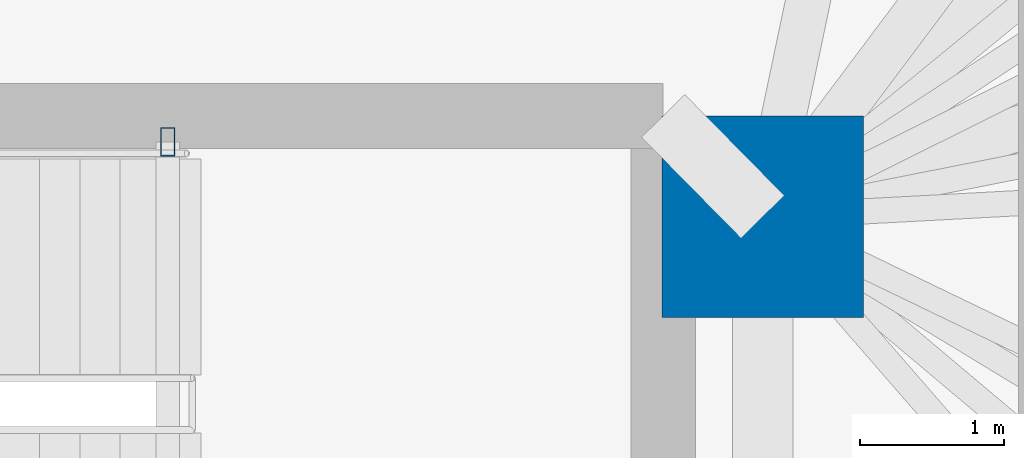
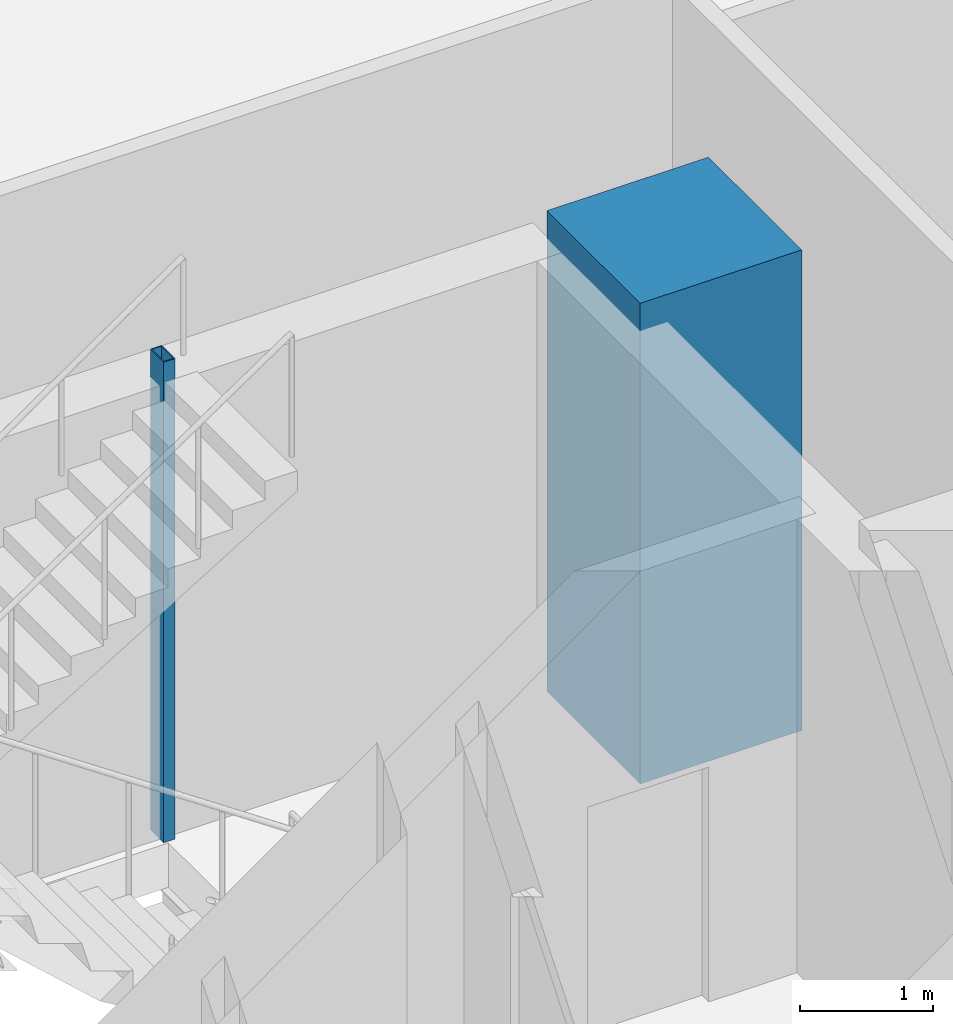
# One storey, part 4 of 17: 2 columns.
"""IFC4 building model written with IfcOpenShell, lengths in metres."""

from ifc_helpers import new_model, si_unit, direction, frame, origin, origin_2d, place, context, subcontext, project, spatial, rectangle, hollow_rectangle, extrude, material, material_profile, profile_set, type_object, element, save


model = new_model("IFC4")

# Units and contexts
model_context = context("Model", 3, precision=1e-05, world=origin(), true_north=direction((0.0, 1.0)))
body_context = subcontext(model_context, "Body", "Model", "MODEL_VIEW")
ifc_project = project(units=[si_unit("LENGTHUNIT", "METRE"), si_unit("AREAUNIT", "SQUARE_METRE"), si_unit("VOLUMEUNIT", "CUBIC_METRE"), si_unit("PLANEANGLEUNIT", "RADIAN"), si_unit("MASSUNIT", "GRAM", prefix="KILO")], contexts=[model_context])

# Site, building, storey
site_placement = place(None, origin())
site = spatial("IfcSite", under=ifc_project, at=site_placement, CompositionType="ELEMENT")
building_placement = place(site_placement, origin())
building = spatial("IfcBuilding", under=site, at=building_placement, Name="Menara Jurai Vektor", CompositionType="ELEMENT")
storey_placement = place(building_placement, frame((0.0, 0.0, 78.800048828125)))
storey = spatial("IfcBuildingStorey", under=building, at=storey_placement, Name="L19", CompositionType="ELEMENT", Elevation=78.800048828125)

# Columns
ifc_material_1 = material(Name="Concrete C60/75", Category="concrete")
ifc_material_profile_1 = material_profile(ifc_material_1, rectangle(XDim=1.39990234375, YDim=1.39990234375, at=origin_2d()), Name="RC 1400x1400")
ifc_profile_set_1 = profile_set([ifc_material_profile_1], Name="Concrete C60/75")
column_type_1 = type_object("IfcColumnType", Name="STR-COL-RC1400", PredefinedType="COLUMN", material=ifc_profile_set_1)
column_1_placement = place(storey_placement, frame((15.25, 4.89990234375, 0.0), z_axis=(0.0, 0.0, 1.0), x_axis=(1.0, 0.0, 0.0)))
element("IfcColumn", 1, at=column_1_placement, inside=storey, type_object=column_type_1, Name="Core Spine Column CE-NE L19", PredefinedType="COLUMN", context=body_context, shape_type="SweptSolid", body=[
    extrude(rectangle(XDim=1.39990234375, YDim=1.39990234375, at=origin_2d()), origin(), (0.0, 0.0, 1.0), 4.39990234375),
])
ifc_material_2 = material(Name="Steel S355", Category="steel")
ifc_material_profile_2 = material_profile(ifc_material_2, hollow_rectangle(XDim=0.10009765625, YDim=0.199951171875, WallThickness=0.008056640625, at=origin_2d()), Name="RHS 200x100x8")
ifc_profile_set_2 = profile_set([ifc_material_profile_2], Name="Steel S355")
column_type_2 = type_object("IfcColumnType", Name="STR-COL-STAIR", PredefinedType="COLUMN", material=ifc_profile_set_2)
column_2_placement = place(storey_placement, frame((11.1201171875, 5.419921875, 0.0), z_axis=(0.0, 0.0, 1.0), x_axis=(1.0, 0.0, 0.0)))
element("IfcColumn", 2, at=column_2_placement, inside=storey, type_object=column_type_2, Name="Stair Well Header Column ST2-P2 L19", PredefinedType="COLUMN", context=body_context, shape_type="SweptSolid", body=[
    extrude(hollow_rectangle(XDim=0.10009765625, YDim=0.199951171875, WallThickness=0.008056640625, at=origin_2d()), origin(), (0.0, 0.0, 1.0), 4.39990234375),
])

save(model, "model.ifc")
